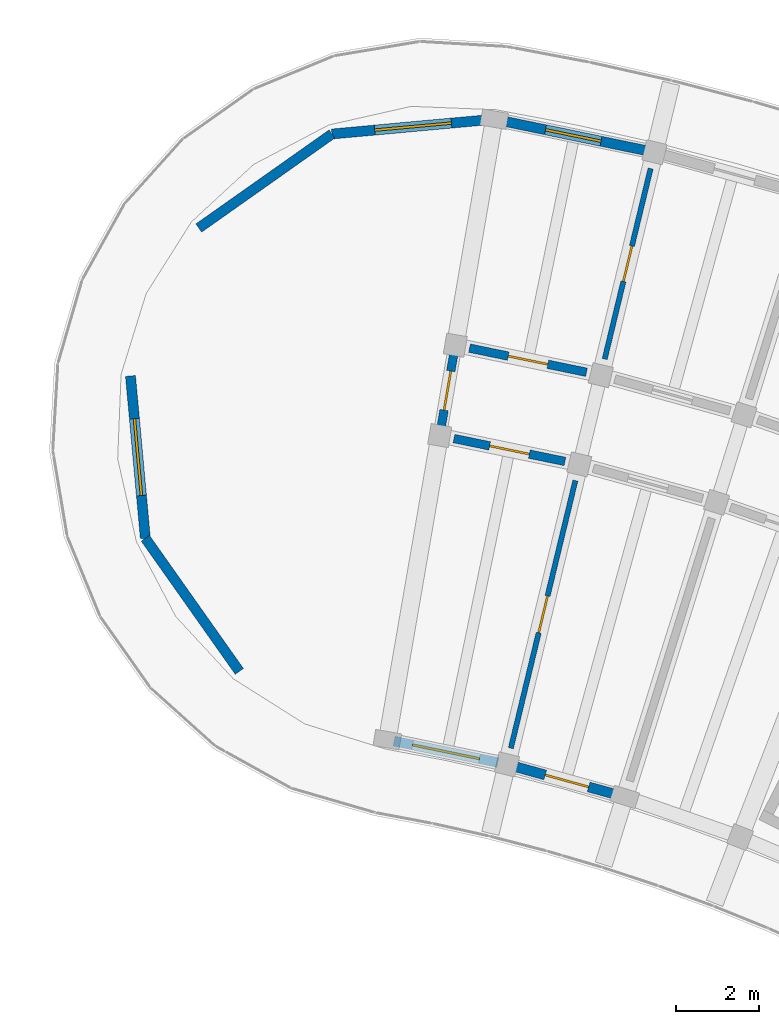
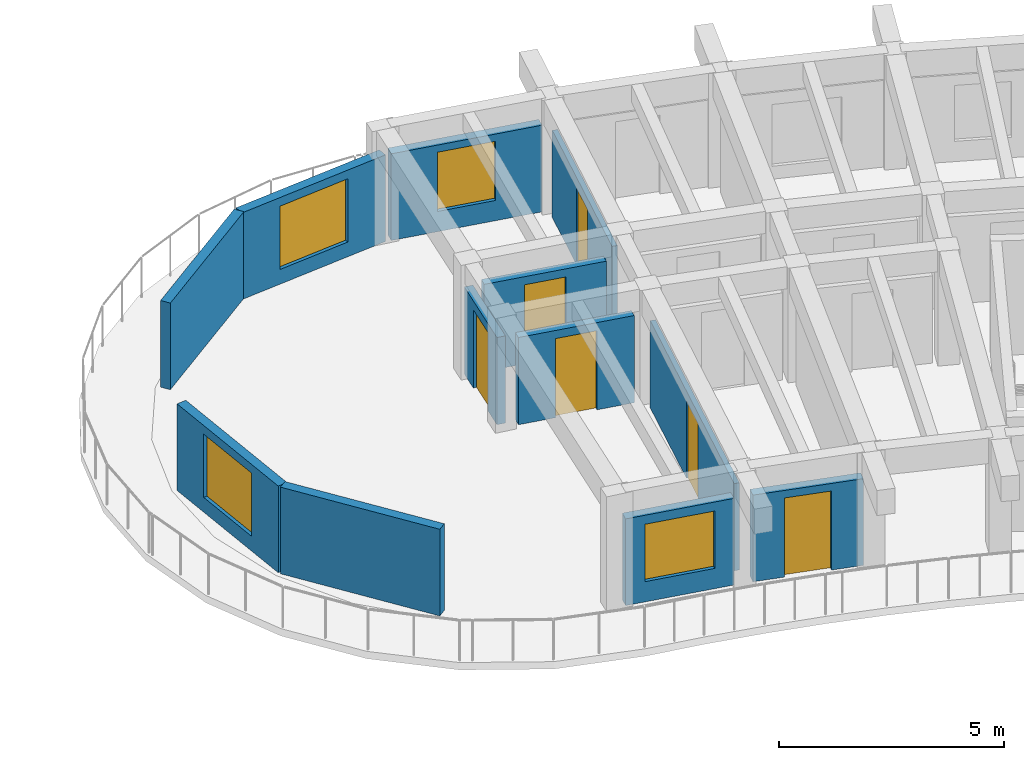
# One storey, part 30 of 56: 12 walls, 6 doors, 4 windows, 10 openings.
"""IFC4 building model written with IfcOpenShell, lengths in metres."""

from ifc_helpers import new_model, si_unit, direction, frame, frame_2d, origin, place, context, subcontext, project, spatial, rectangle, extrude, material, layer, layer_set, type_object, element, fill, save


model = new_model("IFC4")

# Units and contexts
model_context = context("Model", 3, precision=1e-05, world=origin(), true_north=direction((0.0, 1.0)))
body_context = subcontext(model_context, "Body", "Model", "MODEL_VIEW")
ifc_project = project(units=[si_unit("LENGTHUNIT", "METRE"), si_unit("AREAUNIT", "SQUARE_METRE"), si_unit("VOLUMEUNIT", "CUBIC_METRE"), si_unit("PLANEANGLEUNIT", "RADIAN"), si_unit("MASSUNIT", "GRAM", prefix="KILO")], contexts=[model_context])

# Site, building, storey
site_placement = place(None, origin())
site = spatial("IfcSite", under=ifc_project, at=site_placement, CompositionType="ELEMENT")
building_placement = place(site_placement, origin())
building = spatial("IfcBuilding", under=site, at=building_placement, Name="Tanwirah Colonnade Gardens", CompositionType="ELEMENT")
storey_placement = place(building_placement, frame((0.0, 0.0, 29.0)))
storey = spatial("IfcBuildingStorey", under=building, at=storey_placement, Name="L08", CompositionType="ELEMENT", Elevation=29.0)

# Wall, opening, door
ifc_material_1 = material(Name="Limestone architectural precast concrete C40/50", Category="masonry")
ifc_layer_1 = layer(ifc_material_1, 0.239990234375)
ifc_layer_set_1 = layer_set([ifc_layer_1], Name="Limestone architectural precast concrete C40/50")
wall_type_1 = type_object("IfcWallType", Name="EW-PC240", PredefinedType="SOLIDWALL", material=ifc_layer_set_1)
wall_1_placement = place(storey_placement, frame((134.083984375, 102.67529296875, 0.0), z_axis=(0.0, 0.0, 1.0), x_axis=(-0.963872968618, 0.26636234788, 0.0)))
wall_1 = element("IfcWall", 1, at=wall_1_placement, inside=storey, type_object=wall_type_1, Name="Block B L08 IN Precast Facade Wall 15", PredefinedType="SOLIDWALL", context=body_context, shape_type="SweptSolid", body=[
    extrude(rectangle(XDim=2.54541015625, YDim=0.239990234375, at=frame_2d((1.272705078125, 0.0))), origin(), (0.0, 0.0, 1.0), 2.35498046875),
])
opening_1_placement = place(wall_1_placement, frame((0.732666015625, 0.0, 0.0)))
opening_1 = element("IfcOpeningElement", 2, at=opening_1_placement, cuts=wall_1, Name="Opening L08-ED108", PredefinedType="OPENING", context=body_context, shape_type="SweptSolid", body=[
    extrude(rectangle(XDim=1.080078125, YDim=2.14990234375, at=frame_2d((0.5400390625, 1.074951171875))), frame((0.0, 0.1298828125, 0.0), z_axis=(0.0, -1.0, 0.0), x_axis=(1.0, 0.0, 0.0)), (0.0, 0.0, 1.0), 0.260009765625),
])
ifc_material_2 = material(Name="Bronze aluminium glazed balcony door", Category="aluminium")
door_type_1 = type_object("IfcDoorType", Name="ED-BAL108", OperationType="NOTDEFINED", PredefinedType="DOOR", material=ifc_material_2)
door_1_placement = place(opening_1_placement, origin())
door_1 = element("IfcDoor", 3, at=door_1_placement, inside=storey, type_object=door_type_1, Name="Balcony glazed door L08-ED108", OperationType="SINGLE_SWING_RIGHT", OverallHeight=2.14990234375, OverallWidth=1.080078125, PredefinedType="DOOR", context=body_context, shape_type="SweptSolid", body=[
    extrude(rectangle(XDim=1.080078125, YDim=2.14990234375, at=frame_2d((0.5400390625, 1.074951171875))), frame((0.0, 0.02490234375, 0.0), z_axis=(0.0, -1.0, 0.0), x_axis=(1.0, 0.0, 0.0)), (0.0, 0.0, 1.0), 0.050048828125),
])
fill(opening_1, door_1)

# Wall, opening, window
wall_2_placement = place(storey_placement, frame((134.742431640625, 118.135498046875, 0.0), z_axis=(0.0, 0.0, 1.0), x_axis=(-0.979336300967, 0.202238496848, 0.0)))
wall_2 = element("IfcWall", 4, at=wall_2_placement, inside=storey, type_object=wall_type_1, Name="Block B L08 OUT Precast Facade Wall 16", PredefinedType="SOLIDWALL", context=body_context, shape_type="SweptSolid", body=[
    extrude(rectangle(XDim=3.540771484375, YDim=0.239990234375, at=frame_2d((1.7705078125, 0.0))), origin(), (0.0, 0.0, 1.0), 2.35498046875),
])
opening_2_placement = place(wall_2_placement, frame((1.09033203125, 0.0, 0.550048828125)))
opening_2 = element("IfcOpeningElement", 5, at=opening_2_placement, cuts=wall_2, Name="Opening WIN-U06", PredefinedType="OPENING", context=body_context, shape_type="SweptSolid", body=[
    extrude(rectangle(XDim=1.360107421875, YDim=1.610107421875, at=frame_2d((0.68017578125, 0.80517578125))), frame((0.0, 0.1298828125, 0.0), z_axis=(0.0, -1.0, 0.0), x_axis=(1.0, 0.0, 0.0)), (0.0, 0.0, 1.0), 0.260009765625),
])
ifc_material_3 = material(Name="Thermally broken bronze aluminium and solar low-E double glazing", Category="aluminium")
window_type_1 = type_object("IfcWindowType", Name="WIN-U06", PartitioningType="DOUBLE_PANEL_VERTICAL", PredefinedType="WINDOW", material=ifc_material_3)
window_1_placement = place(opening_2_placement, origin())
window_1 = element("IfcWindow", 6, at=window_1_placement, inside=storey, type_object=window_type_1, Name="Facade window B-L08-OUT-16", OverallHeight=1.610107421875, OverallWidth=1.360107421875, PartitioningType="SINGLE_PANEL", PredefinedType="WINDOW", context=body_context, shape_type="SweptSolid", body=[
    extrude(rectangle(XDim=1.360107421875, YDim=1.610107421875, at=frame_2d((0.68017578125, 0.80517578125))), frame((0.0, 0.030029296875, 0.0), z_axis=(0.0, -1.0, 0.0), x_axis=(1.0, 0.0, 0.0)), (0.0, 0.0, 1.0), 0.06005859375),
])
fill(opening_2, window_1)

wall_3_placement = place(storey_placement, frame((131.203125, 103.456298828125, 0.0), z_axis=(0.0, 0.0, 1.0), x_axis=(-0.979344333802, 0.20219959409, 0.0)))
wall_3 = element("IfcWall", 7, at=wall_3_placement, inside=storey, type_object=wall_type_1, Name="Block B L08 IN Precast Facade Wall 16", PredefinedType="SOLIDWALL", context=body_context, shape_type="SweptSolid", body=[
    extrude(rectangle(XDim=2.545166015625, YDim=0.239990234375, at=frame_2d((1.2724609375, 0.0))), origin(), (0.0, 0.0, 1.0), 2.35498046875),
])
opening_3_placement = place(wall_3_placement, frame((0.45263671875, 0.0, 0.550048828125)))
opening_3 = element("IfcOpeningElement", 8, at=opening_3_placement, cuts=wall_3, Name="Opening WIN-U13", PredefinedType="OPENING", context=body_context, shape_type="SweptSolid", body=[
    extrude(rectangle(XDim=1.639892578125, YDim=1.56005859375, at=frame_2d((0.81982421875, 0.780029296875))), frame((0.0, 0.1298828125, 0.0), z_axis=(0.0, -1.0, 0.0), x_axis=(1.0, 0.0, 0.0)), (0.0, 0.0, 1.0), 0.260009765625),
])
window_type_2 = type_object("IfcWindowType", Name="WIN-U13", PartitioningType="DOUBLE_PANEL_VERTICAL", PredefinedType="WINDOW", material=ifc_material_3)
window_2_placement = place(opening_3_placement, origin())
window_2 = element("IfcWindow", 9, at=window_2_placement, inside=storey, type_object=window_type_2, Name="Facade window B-L08-IN-16", OverallHeight=1.56005859375, OverallWidth=1.639892578125, PartitioningType="SINGLE_PANEL", PredefinedType="WINDOW", context=body_context, shape_type="SweptSolid", body=[
    extrude(rectangle(XDim=1.639892578125, YDim=1.56005859375, at=frame_2d((0.81982421875, 0.780029296875))), frame((0.0, 0.030029296875, 0.0), z_axis=(0.0, -1.0, 0.0), x_axis=(1.0, 0.0, 0.0)), (0.0, 0.0, 1.0), 0.06005859375),
])
fill(opening_3, window_2)

# Wall
wall_4_placement = place(storey_placement, frame((125.00048828125, 105.642333984375, 0.0), z_axis=(0.0, 0.0, 1.0), x_axis=(-0.576773939634, 0.816903802512, 0.0)))
element("IfcWall", 10, at=wall_4_placement, inside=storey, type_object=wall_type_1, Name="Block B L08 END Rounded End Wall 1", PredefinedType="SOLIDWALL", context=body_context, shape_type="SweptSolid", body=[
    extrude(rectangle(XDim=3.908203125, YDim=0.239990234375, at=frame_2d((1.9541015625, 0.0))), origin(), (0.0, 0.0, 1.0), 2.35498046875),
])

# Wall, opening, window
wall_5_placement = place(storey_placement, frame((122.746337890625, 108.8349609375, 0.0), z_axis=(0.0, 0.0, 1.0), x_axis=(-0.091020141047, 0.995849051776, 0.0)))
wall_5 = element("IfcWall", 11, at=wall_5_placement, inside=storey, type_object=wall_type_1, Name="Block B L08 END Rounded End Wall 2", PredefinedType="SOLIDWALL", context=body_context, shape_type="SweptSolid", body=[
    extrude(rectangle(XDim=3.907958984375, YDim=0.239990234375, at=frame_2d((1.9541015625, 0.0))), origin(), (0.0, 0.0, 1.0), 2.35498046875),
])
opening_4_placement = place(wall_5_placement, frame((1.029052734375, 0.0, 0.39990234375)))
opening_4 = element("IfcOpeningElement", 12, at=opening_4_placement, cuts=wall_5, Name="Opening WIN-END1", PredefinedType="OPENING", context=body_context, shape_type="SweptSolid", body=[
    extrude(rectangle(XDim=1.85009765625, YDim=1.719970703125, at=frame_2d((0.925048828125, 0.85986328125))), frame((0.0, 0.1298828125, 0.0), z_axis=(0.0, -1.0, 0.0), x_axis=(1.0, 0.0, 0.0)), (0.0, 0.0, 1.0), 0.260009765625),
])
window_type_3 = type_object("IfcWindowType", Name="WIN-END1", PartitioningType="TRIPLE_PANEL_VERTICAL", PredefinedType="WINDOW", material=ifc_material_3)
window_3_placement = place(opening_4_placement, origin())
window_3 = element("IfcWindow", 13, at=window_3_placement, inside=storey, type_object=window_type_3, Name="Rounded corner window B-L08-END-2", OverallHeight=1.719970703125, OverallWidth=1.85009765625, PartitioningType="SINGLE_PANEL", PredefinedType="WINDOW", context=body_context, shape_type="SweptSolid", body=[
    extrude(rectangle(XDim=1.85009765625, YDim=1.719970703125, at=frame_2d((0.925048828125, 0.85986328125))), frame((0.0, 0.030029296875, 0.0), z_axis=(0.0, -1.0, 0.0), x_axis=(1.0, 0.0, 0.0)), (0.0, 0.0, 1.0), 0.06005859375),
])
fill(opening_4, window_3)

# Wall
wall_6_placement = place(storey_placement, frame((124.028564453125, 116.275146484375, 0.0), z_axis=(0.0, 0.0, 1.0), x_axis=(0.816903802512, 0.576773939634, 0.0)))
element("IfcWall", 14, at=wall_6_placement, inside=storey, type_object=wall_type_1, Name="Block B L08 END Rounded End Wall 4", PredefinedType="SOLIDWALL", context=body_context, shape_type="SweptSolid", body=[
    extrude(rectangle(XDim=3.908203125, YDim=0.239990234375, at=frame_2d((1.9541015625, 0.0))), origin(), (0.0, 0.0, 1.0), 2.35498046875),
])

# Wall, opening, window
wall_7_placement = place(storey_placement, frame((127.22119140625, 118.529296875, 0.0), z_axis=(0.0, 0.0, 1.0), x_axis=(0.995849569279, 0.091014478888, 0.0)))
wall_7 = element("IfcWall", 15, at=wall_7_placement, inside=storey, type_object=wall_type_1, Name="Block B L08 END Rounded End Wall 5", PredefinedType="SOLIDWALL", context=body_context, shape_type="SweptSolid", body=[
    extrude(rectangle(XDim=3.908203125, YDim=0.239990234375, at=frame_2d((1.9541015625, 0.0))), origin(), (0.0, 0.0, 1.0), 2.35498046875),
])
opening_5_placement = place(wall_7_placement, frame((1.029052734375, 0.0, 0.39990234375)))
opening_5 = element("IfcOpeningElement", 16, at=opening_5_placement, cuts=wall_7, Name="Opening WIN-END1", PredefinedType="OPENING", context=body_context, shape_type="SweptSolid", body=[
    extrude(rectangle(XDim=1.85009765625, YDim=1.719970703125, at=frame_2d((0.925048828125, 0.85986328125))), frame((0.0, 0.1298828125, 0.0), z_axis=(0.0, -1.0, 0.0), x_axis=(1.0, 0.0, 0.0)), (0.0, 0.0, 1.0), 0.260009765625),
])
window_4_placement = place(opening_5_placement, origin())
window_4 = element("IfcWindow", 17, at=window_4_placement, inside=storey, type_object=window_type_3, Name="Rounded corner window B-L08-END-5", OverallHeight=1.719970703125, OverallWidth=1.85009765625, PartitioningType="SINGLE_PANEL", PredefinedType="WINDOW", context=body_context, shape_type="SweptSolid", body=[
    extrude(rectangle(XDim=1.85009765625, YDim=1.719970703125, at=frame_2d((0.925048828125, 0.85986328125))), frame((0.0, 0.030029296875, 0.0), z_axis=(0.0, -1.0, 0.0), x_axis=(1.0, 0.0, 0.0)), (0.0, 0.0, 1.0), 0.06005859375),
])
fill(opening_5, window_4)

# Wall, opening, door
ifc_material_4 = material(Name="Precast concrete C40/50", Category="concrete")
ifc_layer_2 = layer(ifc_material_4, 0.205078125)
ifc_layer_set_2 = layer_set([ifc_layer_2], Name="Precast concrete C40/50")
wall_type_2 = type_object("IfcWallType", Name="IW-CORR205", PredefinedType="PARTITIONING", material=ifc_layer_set_2)
wall_8_placement = place(storey_placement, frame((133.325927734375, 112.815185546875, 0.0), z_axis=(0.0, 0.0, 1.0), x_axis=(-0.979348418612, 0.202179808492, 0.0)))
wall_8 = element("IfcWall", 18, at=wall_8_placement, inside=storey, type_object=wall_type_2, Name="Block B L08 OUT Corridor Wall 16", PredefinedType="PARTITIONING", context=body_context, shape_type="SweptSolid", body=[
    extrude(rectangle(XDim=2.863037109375, YDim=0.205078125, at=frame_2d((1.431640625, 0.0))), origin(), (0.0, 0.0, 1.0), 2.3701171875),
])
opening_6_placement = place(wall_8_placement, frame((0.946533203125, 0.0, 0.0)))
opening_6 = element("IfcOpeningElement", 19, at=opening_6_placement, cuts=wall_8, Name="Opening L08-AD1159", PredefinedType="OPENING", context=body_context, shape_type="SweptSolid", body=[
    extrude(rectangle(XDim=0.969970703125, YDim=2.14990234375, at=frame_2d((0.48486328125, 1.074951171875))), frame((0.0, 0.112548828125, 0.0), z_axis=(0.0, -1.0, 0.0), x_axis=(1.0, 0.0, 0.0)), (0.0, 0.0, 1.0), 0.22509765625),
])
ifc_material_5 = material(Name="Solid oak fire-resisting apartment entrance door")
door_type_2 = type_object("IfcDoorType", Name="ID-FLT097", OperationType="NOTDEFINED", PredefinedType="DOOR", material=ifc_material_5)
door_2_placement = place(opening_6_placement, origin())
door_2 = element("IfcDoor", 20, at=door_2_placement, inside=storey, type_object=door_type_2, Name="Apartment corridor door L08-AD1159", OperationType="SINGLE_SWING_LEFT", OverallHeight=2.14990234375, OverallWidth=0.969970703125, PredefinedType="DOOR", context=body_context, shape_type="SweptSolid", body=[
    extrude(rectangle(XDim=0.969970703125, YDim=2.14990234375, at=frame_2d((0.48486328125, 1.074951171875))), frame((0.0, 0.02490234375, 0.0), z_axis=(0.0, -1.0, 0.0), x_axis=(1.0, 0.0, 0.0)), (0.0, 0.0, 1.0), 0.050048828125),
])
fill(opening_6, door_2)

wall_9_placement = place(storey_placement, frame((132.810302734375, 110.676513671875, 0.0), z_axis=(0.0, 0.0, 1.0), x_axis=(-0.979349423541, 0.202174940608, 0.0)))
wall_9 = element("IfcWall", 21, at=wall_9_placement, inside=storey, type_object=wall_type_2, Name="Block B L08 IN Corridor Wall 16", PredefinedType="PARTITIONING", context=body_context, shape_type="SweptSolid", body=[
    extrude(rectangle(XDim=2.71826171875, YDim=0.205078125, at=frame_2d((1.359130859375, 0.0))), origin(), (0.0, 0.0, 1.0), 2.3701171875),
])
opening_7_placement = place(wall_9_placement, frame((0.8740234375, 0.0, 0.0)))
opening_7 = element("IfcOpeningElement", 22, at=opening_7_placement, cuts=wall_9, Name="Opening L08-AD1160", PredefinedType="OPENING", context=body_context, shape_type="SweptSolid", body=[
    extrude(rectangle(XDim=0.969970703125, YDim=2.14990234375, at=frame_2d((0.48486328125, 1.074951171875))), frame((0.0, 0.112548828125, 0.0), z_axis=(0.0, -1.0, 0.0), x_axis=(1.0, 0.0, 0.0)), (0.0, 0.0, 1.0), 0.22509765625),
])
door_3_placement = place(opening_7_placement, origin())
door_3 = element("IfcDoor", 23, at=door_3_placement, inside=storey, type_object=door_type_2, Name="Apartment corridor door L08-AD1160", OperationType="SINGLE_SWING_RIGHT", OverallHeight=2.14990234375, OverallWidth=0.969970703125, PredefinedType="DOOR", context=body_context, shape_type="SweptSolid", body=[
    extrude(rectangle(XDim=0.969970703125, YDim=2.14990234375, at=frame_2d((0.48486328125, 1.074951171875))), frame((0.0, 0.02490234375, 0.0), z_axis=(0.0, -1.0, 0.0), x_axis=(1.0, 0.0, 0.0)), (0.0, 0.0, 1.0), 0.050048828125),
])
fill(opening_7, door_3)

wall_10_placement = place(storey_placement, frame((129.81396484375, 111.34619140625, 0.0), z_axis=(0.0, 0.0, 1.0), x_axis=(0.169864088707, 0.98546749889, 0.0)))
wall_10 = element("IfcWall", 24, at=wall_10_placement, inside=storey, type_object=wall_type_2, Name="Block B L08 CE Corner Suite Corridor Wall", PredefinedType="PARTITIONING", context=body_context, shape_type="SweptSolid", body=[
    extrude(rectangle(XDim=2.099853515625, YDim=0.205078125, at=frame_2d((1.0498046875, 0.0))), origin(), (0.0, 0.0, 1.0), 2.3701171875),
])
opening_8_placement = place(wall_10_placement, frame((0.570068359375, 0.0, 0.0)))
opening_8 = element("IfcOpeningElement", 25, at=opening_8_placement, cuts=wall_10, Name="Opening L08-CD1162", PredefinedType="OPENING", context=body_context, shape_type="SweptSolid", body=[
    extrude(rectangle(XDim=0.949951171875, YDim=2.1298828125, at=frame_2d((0.47509765625, 1.06494140625))), frame((0.0, 0.112548828125, 0.0), z_axis=(0.0, -1.0, 0.0), x_axis=(1.0, 0.0, 0.0)), (0.0, 0.0, 1.0), 0.22509765625),
])
door_type_3 = type_object("IfcDoorType", Name="ID-FLT095", OperationType="NOTDEFINED", PredefinedType="DOOR", material=ifc_material_5)
door_4_placement = place(opening_8_placement, origin())
door_4 = element("IfcDoor", 26, at=door_4_placement, inside=storey, type_object=door_type_3, Name="Corner suite entrance door L08-CD1162", OperationType="SINGLE_SWING_RIGHT", OverallHeight=2.1298828125, OverallWidth=0.949951171875, PredefinedType="DOOR", context=body_context, shape_type="SweptSolid", body=[
    extrude(rectangle(XDim=0.949951171875, YDim=2.1298828125, at=frame_2d((0.47509765625, 1.06494140625))), frame((0.0, 0.02490234375, 0.0), z_axis=(0.0, -1.0, 0.0), x_axis=(1.0, 0.0, 0.0)), (0.0, 0.0, 1.0), 0.050048828125),
])
fill(opening_8, door_4)

ifc_material_6 = material(Name="Moisture-resistant gypsum stud partition")
ifc_layer_3 = layer(ifc_material_6, 0.125)
ifc_layer_set_3 = layer_set([ifc_layer_3], Name="Moisture-resistant gypsum stud partition")
wall_type_3 = type_object("IfcWallType", Name="IW-INT125", PredefinedType="PARTITIONING", material=ifc_layer_set_3)
wall_11_placement = place(storey_placement, frame((133.762451171875, 113.13330078125, 0.0), z_axis=(0.0, 0.0, 1.0), x_axis=(0.234386624934, 0.972143461662, 0.0)))
wall_11 = element("IfcWall", 27, at=wall_11_placement, inside=storey, type_object=wall_type_3, Name="Block B L08 Radial Partition 15", PredefinedType="PARTITIONING", context=body_context, shape_type="SweptSolid", body=[
    extrude(rectangle(XDim=4.69970703125, YDim=0.125, at=frame_2d((2.349853515625, 0.0))), origin(), (0.0, 0.0, 1.0), 2.3701171875),
])
opening_9_placement = place(wall_11_placement, frame((1.9150390625, 0.0, 0.0)))
opening_9 = element("IfcOpeningElement", 28, at=opening_9_placement, cuts=wall_11, Name="Opening L08-RD1157", PredefinedType="OPENING", context=body_context, shape_type="SweptSolid", body=[
    extrude(rectangle(XDim=0.8701171875, YDim=2.080078125, at=frame_2d((0.43505859375, 1.0400390625))), frame((0.0, 0.072509765625, 0.0), z_axis=(0.0, -1.0, 0.0), x_axis=(1.0, 0.0, 0.0)), (0.0, 0.0, 1.0), 0.14501953125),
])
ifc_material_7 = material(Name="Painted hardwood study door", Category="wood")
door_type_4 = type_object("IfcDoorType", Name="ID-RM087", OperationType="NOTDEFINED", PredefinedType="DOOR", material=ifc_material_7)
door_5_placement = place(opening_9_placement, origin())
door_5 = element("IfcDoor", 29, at=door_5_placement, inside=storey, type_object=door_type_4, Name="Internal apartment door L08-RD1157", OperationType="SINGLE_SWING_RIGHT", OverallHeight=2.080078125, OverallWidth=0.8701171875, PredefinedType="DOOR", context=body_context, shape_type="SweptSolid", body=[
    extrude(rectangle(XDim=0.8701171875, YDim=2.080078125, at=frame_2d((0.43505859375, 1.0400390625))), frame((0.0, 0.02490234375, 0.0), z_axis=(0.0, -1.0, 0.0), x_axis=(1.0, 0.0, 0.0)), (0.0, 0.0, 1.0), 0.050048828125),
])
fill(opening_9, door_5)

wall_12_placement = place(storey_placement, frame((131.51220703125, 103.800537109375, 0.0), z_axis=(0.0, 0.0, 1.0), x_axis=(0.234406698576, 0.972138621629, 0.0)))
wall_12 = element("IfcWall", 30, at=wall_12_placement, inside=storey, type_object=wall_type_3, Name="Block B L08 Inner Radial Partition 15", PredefinedType="PARTITIONING", context=body_context, shape_type="SweptSolid", body=[
    extrude(rectangle(XDim=6.60009765625, YDim=0.125, at=frame_2d((3.300048828125, 0.0))), origin(), (0.0, 0.0, 1.0), 2.3701171875),
])
opening_10_placement = place(wall_12_placement, frame((2.844970703125, 0.0, 0.0)))
opening_10 = element("IfcOpeningElement", 31, at=opening_10_placement, cuts=wall_12, Name="Opening L08-RD1158", PredefinedType="OPENING", context=body_context, shape_type="SweptSolid", body=[
    extrude(rectangle(XDim=0.909912109375, YDim=2.10009765625, at=frame_2d((0.455078125, 1.050048828125))), frame((0.0, 0.072509765625, 0.0), z_axis=(0.0, -1.0, 0.0), x_axis=(1.0, 0.0, 0.0)), (0.0, 0.0, 1.0), 0.14501953125),
])
ifc_material_8 = material(Name="Painted hardwood internal room door", Category="wood")
door_type_5 = type_object("IfcDoorType", Name="ID-RM091", OperationType="NOTDEFINED", PredefinedType="DOOR", material=ifc_material_8)
door_6_placement = place(opening_10_placement, origin())
door_6 = element("IfcDoor", 32, at=door_6_placement, inside=storey, type_object=door_type_5, Name="Internal apartment door L08-RD1158", OperationType="SINGLE_SWING_LEFT", OverallHeight=2.10009765625, OverallWidth=0.909912109375, PredefinedType="DOOR", context=body_context, shape_type="SweptSolid", body=[
    extrude(rectangle(XDim=0.909912109375, YDim=2.10009765625, at=frame_2d((0.455078125, 1.050048828125))), frame((0.0, 0.02490234375, 0.0), z_axis=(0.0, -1.0, 0.0), x_axis=(1.0, 0.0, 0.0)), (0.0, 0.0, 1.0), 0.050048828125),
])
fill(opening_10, door_6)

save(model, "model.ifc")
